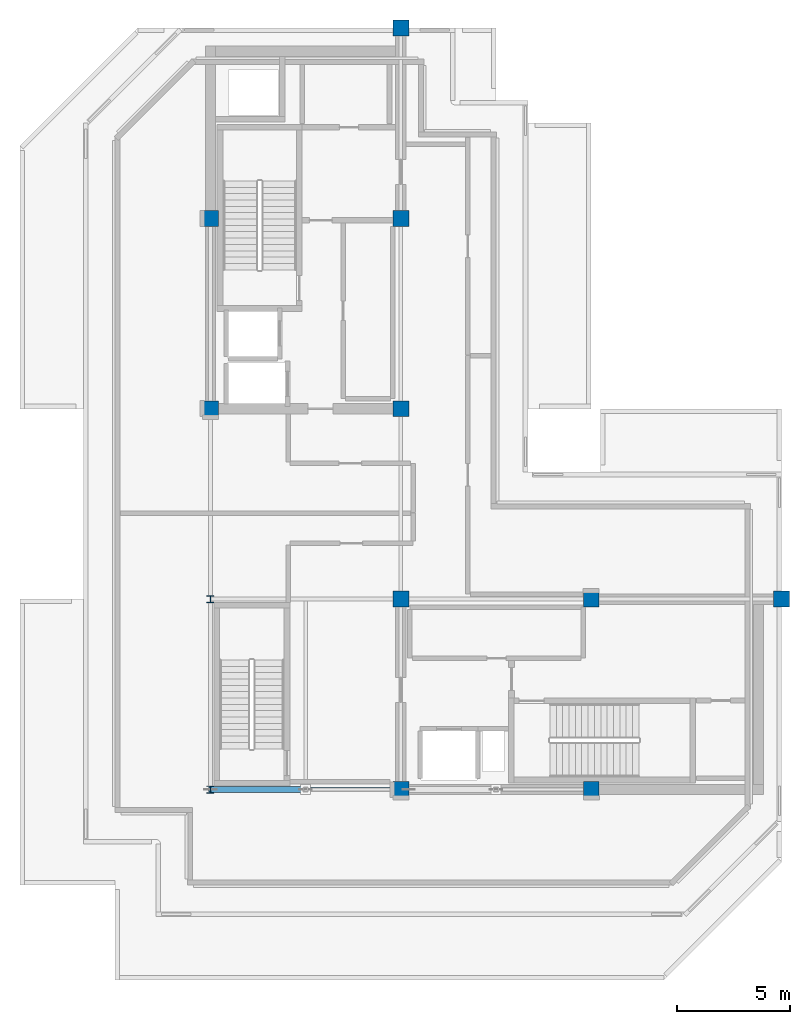
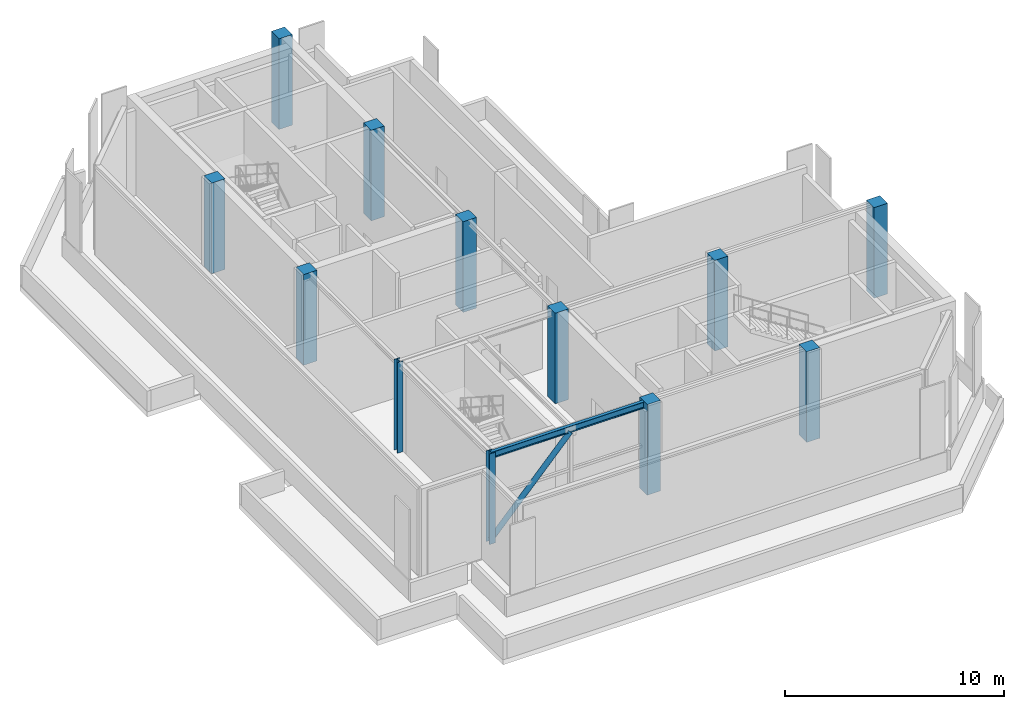
# One storey, part 1 of 9: 12 columns, 1 beam, 1 member.
"""IFC4 building model written with IfcOpenShell, lengths in metres."""

from ifc_helpers import new_model, si_unit, direction, frame, origin, origin_2d, place, context, subcontext, project, spatial, rectangle, hollow_circle, i_section, extrude, material, material_profile, profile_set, type_object, element, save


model = new_model("IFC4")

# Units and contexts
model_context = context("Model", 3, precision=1e-05, world=origin(), true_north=direction((0.0, 1.0)))
body_context = subcontext(model_context, "Body", "Model", "MODEL_VIEW")
ifc_project = project(units=[si_unit("LENGTHUNIT", "METRE"), si_unit("AREAUNIT", "SQUARE_METRE"), si_unit("VOLUMEUNIT", "CUBIC_METRE"), si_unit("PLANEANGLEUNIT", "RADIAN"), si_unit("MASSUNIT", "GRAM", prefix="KILO")], contexts=[model_context])

# Site, building, storey
site_placement = place(None, origin())
site = spatial("IfcSite", under=ifc_project, at=site_placement, CompositionType="ELEMENT")
building_placement = place(site_placement, origin())
building = spatial("IfcBuilding", under=site, at=building_placement, Name="Nerrivon Quay Data Exchange", CompositionType="ELEMENT")
storey_placement = place(building_placement, frame((0.0, 0.0, 333.0)))
storey = spatial("IfcBuildingStorey", under=building, at=storey_placement, Name="L79", CompositionType="ELEMENT", Elevation=333.0)

# Columns
ifc_material_1 = material(Name="Concrete N50 (50 MPa)", Category="concrete")
ifc_material_profile_1 = material_profile(ifc_material_1, rectangle(XDim=0.699951171875, YDim=0.699951171875, at=origin_2d()), Name="RC-COL-700x700")
ifc_profile_set_1 = profile_set([ifc_material_profile_1], Name="Concrete N50 (50 MPa)")
column_type_1 = type_object("IfcColumnType", Name="COL-C6-700", PredefinedType="COLUMN", material=ifc_profile_set_1)
for number, where, z_axis, x_axis, name in (
    (1, (8.39990234375, 25.199951171875, 0.0), (0.0, 0.0, 1.0), (1.0, 0.0, 0.0), "L79 Column (8.4,25.2)"),
    (2, (8.39990234375, 33.60009765625, 0.0), (0.0, 0.0, 1.0), (1.0, 0.0, 0.0), "L79 Column (8.4,33.6)"),
    (3, (16.800048828125, 8.39990234375, 0.0), (0.0, 0.0, 1.0), (1.0, 0.0, 0.0), "L79 Column (16.8,8.4)"),
    (4, (16.800048828125, 16.800048828125, 0.0), (0.0, 0.0, 1.0), (1.0, 0.0, 0.0), "L79 Column (16.8,16.8)"),
    (5, (16.800048828125, 25.199951171875, 0.0), (0.0, 0.0, 1.0), (1.0, 0.0, 0.0), "L79 Column (16.8,25.2)"),
    (6, (16.800048828125, 33.60009765625, 0.0), (0.0, 0.0, 1.0), (1.0, 0.0, 0.0), "L79 Column (16.8,33.6)"),
    (7, (16.800048828125, 42.0, 0.0), (0.0, 0.0, 1.0), (1.0, 0.0, 0.0), "L79 Column (16.8,42.0)"),
    (8, (25.199951171875, 8.39990234375, 0.0), (0.0, 0.0, 1.0), (1.0, 0.0, 0.0), "L79 Column (25.2,8.4)"),
    (9, (25.199951171875, 16.800048828125, 0.0), (0.0, 0.0, 1.0), (1.0, 0.0, 0.0), "L79 Column (25.2,16.8)"),
    (10, (33.60009765625, 16.800048828125, 0.0), (0.0, 0.0, 1.0), (1.0, 0.0, 0.0), "L79 Column (33.6,16.8)"),
):
    element("IfcColumn", number, at=place(storey_placement, frame(where, z_axis=z_axis, x_axis=x_axis)), inside=storey, type_object=column_type_1, Name=name, PredefinedType="COLUMN", context=body_context, shape_type="SweptSolid", body=[
        extrude(rectangle(XDim=0.699951171875, YDim=0.699951171875, at=origin_2d()), origin(), (0.0, 0.0, 1.0), 5.050048828125),
    ])
ifc_material_2 = material(Name="Steel Grade 350", Category="steel")
ifc_material_profile_2 = material_profile(ifc_material_2, i_section(OverallWidth=0.306884765625, OverallDepth=0.31494140625, WebThickness=0.011962890625, FlangeThickness=0.018798828125, FilletRadius=0.0166015625, at=origin_2d()), Name="310UC118")
ifc_profile_set_2 = profile_set([ifc_material_profile_2], Name="Steel Grade 350")
column_type_2 = type_object("IfcColumnType", Name="COL-SC5-310UC118", PredefinedType="COLUMN", material=ifc_profile_set_2)
for number, where, z_axis, x_axis, name in (
    (11, (8.39990234375, 8.39990234375, 0.0), (0.0, 0.0, 1.0), (1.0, 0.0, 0.0), "L79 Column (8.4,8.4)"),
    (12, (8.39990234375, 16.800048828125, 0.0), (0.0, 0.0, 1.0), (1.0, 0.0, 0.0), "L79 Column (8.4,16.8)"),
):
    element("IfcColumn", number, at=place(storey_placement, frame(where, z_axis=z_axis, x_axis=x_axis)), inside=storey, type_object=column_type_2, Name=name, PredefinedType="COLUMN", context=body_context, shape_type="SweptSolid", body=[
        extrude(i_section(OverallWidth=0.306884765625, OverallDepth=0.31494140625, WebThickness=0.011962890625, FlangeThickness=0.018798828125, FilletRadius=0.0166015625, at=origin_2d()), origin(), (0.0, 0.0, 1.0), 5.050048828125),
    ])

# Beam
ifc_material_profile_3 = material_profile(ifc_material_2, i_section(OverallWidth=0.172119140625, OverallDepth=0.35888671875, WebThickness=0.008056640625, FlangeThickness=0.012939453125, FilletRadius=0.011474609375, at=origin_2d()), Name="360UB56.7")
ifc_profile_set_3 = profile_set([ifc_material_profile_3], Name="Steel Grade 350")
beam_type = type_object("IfcBeamType", Name="BM-J3-360UB57", PredefinedType="JOIST", material=ifc_profile_set_3)
beam_placement = place(storey_placement, frame((8.406005859375, 8.39990234375, 4.87060546875), z_axis=(1.0, 0.0, 0.0), x_axis=(0.0, 1.0, 0.0)))
element("IfcBeam", 13, at=beam_placement, inside=storey, type_object=beam_type, Name="L79 EW Girder Y=8.4 (8.4..16.8)", PredefinedType="JOIST", context=body_context, shape_type="SweptSolid", body=[
    extrude(i_section(OverallWidth=0.172119140625, OverallDepth=0.35888671875, WebThickness=0.008056640625, FlangeThickness=0.012939453125, FilletRadius=0.011474609375, at=origin_2d()), origin(), (0.0, 0.0, 1.0), 8.0439453125),
])

# Member
ifc_material_3 = material(Name="Steel Grade C350L0 (350 MPa)", Category="steel")
ifc_material_profile_4 = material_profile(ifc_material_3, hollow_circle(Radius=0.136474609375, WallThickness=0.0126953125, at=origin_2d()), Name="273.1x12.7CHS")
ifc_profile_set_4 = profile_set([ifc_material_profile_4], Name="Steel Grade C350L0 (350 MPa)")
member_type = type_object("IfcMemberType", Name="MEM-ST1-273CHS", PredefinedType="STRUT", material=ifc_profile_set_4)
member_placement = place(storey_placement, frame((8.406005859375, 8.39990234375, 0.159912109375), z_axis=(0.6784884033, 0.0, 0.734611112485), x_axis=(0.0, 1.0, 0.0)))
element("IfcMember", 14, at=member_placement, inside=storey, type_object=member_type, Name="L79 structural brace TS-L79-01", PredefinedType="STRUT", context=body_context, shape_type="SweptSolid", body=[
    extrude(hollow_circle(Radius=0.136474609375, WallThickness=0.0126953125, at=origin_2d()), origin(), (0.0, 0.0, 1.0), 6.181640625),
])

save(model, "model.ifc")
